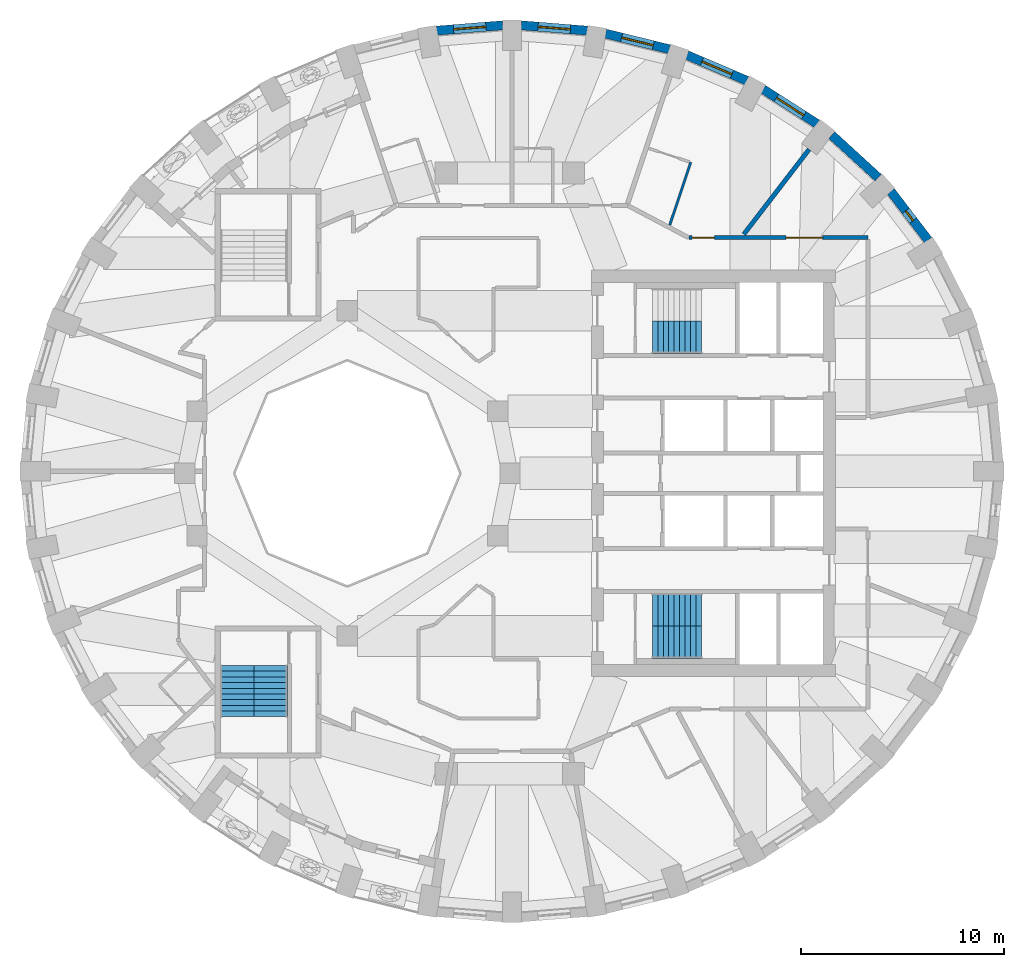
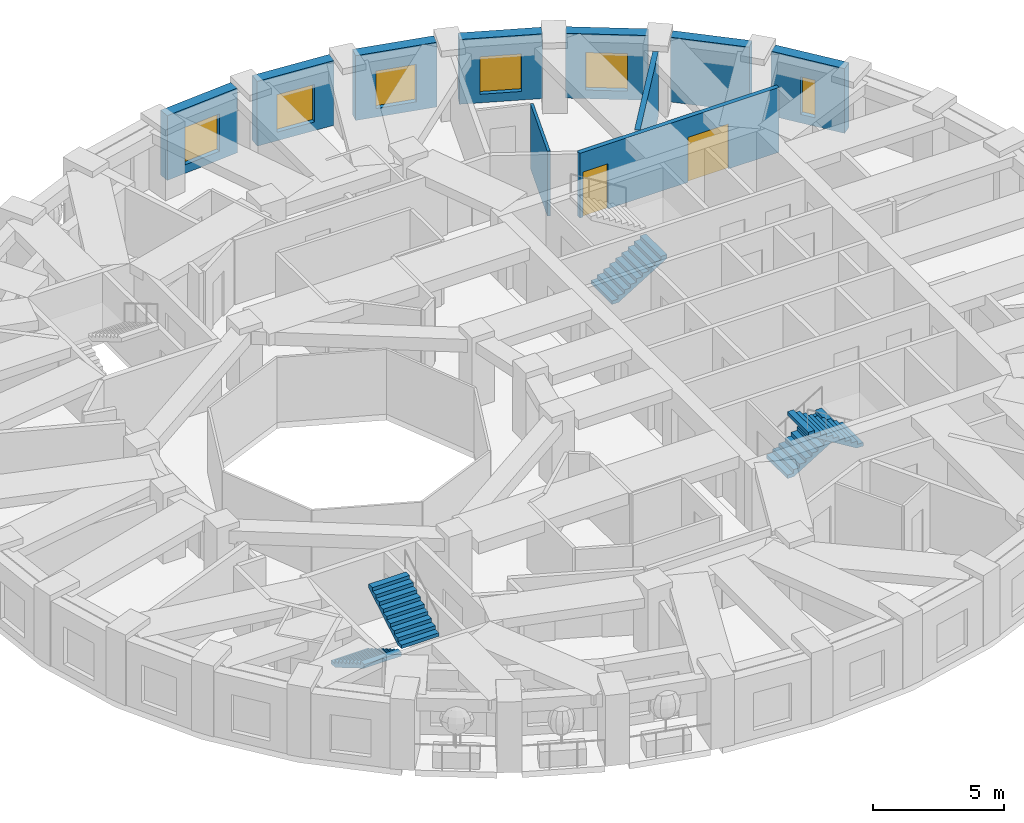
# One storey, part 8 of 12: 10 walls, 6 windows, 5 stair flights, 2 doors, 8 openings, 3 elements without a shape of their own.
"""IFC4 building model written with IfcOpenShell, lengths in metres."""

from ifc_helpers import new_model, si_unit, direction, frame, frame_2d, origin, place, context, subcontext, project, spatial, polyline, rectangle, outline, extrude, material, layer, layer_set, type_object, element, fill, aggregate, save


model = new_model("IFC4")

# Units and contexts
model_context = context("Model", 3, precision=1e-05, world=origin(), true_north=direction((0.0, 1.0)))
body_context = subcontext(model_context, "Body", "Model", "MODEL_VIEW")
ifc_project = project(units=[si_unit("LENGTHUNIT", "METRE"), si_unit("AREAUNIT", "SQUARE_METRE"), si_unit("VOLUMEUNIT", "CUBIC_METRE"), si_unit("PLANEANGLEUNIT", "RADIAN"), si_unit("MASSUNIT", "GRAM", prefix="KILO")], contexts=[model_context])

# Site, building, storey
site_placement = place(None, origin())
site = spatial("IfcSite", under=ifc_project, at=site_placement, CompositionType="ELEMENT")
building_placement = place(site_placement, origin())
building = spatial("IfcBuilding", under=site, at=building_placement, Name="Taillehof Tower", CompositionType="ELEMENT")
storey_placement = place(building_placement, frame((0.0, 0.0, 168.199951171875)))
storey = spatial("IfcBuildingStorey", under=building, at=storey_placement, Name="L47", CompositionType="ELEMENT", Elevation=168.199951171875)

# Wall, opening, window
ifc_material_1 = material(Name="Brick masonry", Category="masonry")
ifc_layer_1 = layer(ifc_material_1, 0.449951171875)
ifc_layer_set_1 = layer_set([ifc_layer_1], Name="Brick infill wall 450")
wall_type_1 = type_object("IfcWallType", Name="Brick infill wall 450", PredefinedType="SOLIDWALL", material=ifc_layer_set_1)
wall_1_placement = place(storey_placement, frame((20.573974609375, 11.467041015625, 0.0), z_axis=(0.0, 0.0, 1.0), x_axis=(-0.607817056371, 0.794077090706, 0.0)))
wall_1 = element("IfcWall", 1, at=wall_1_placement, inside=storey, type_object=wall_type_1, Name="Brick wall L47 bay 4", PredefinedType="SOLIDWALL", context=body_context, shape_type="SweptSolid", body=[
    extrude(rectangle(XDim=3.037109375, YDim=0.449951171875, at=frame_2d((1.5185546875, 0.0))), origin(), (0.0, 0.0, 1.0), 3.02001953125),
])
opening_1_placement = place(wall_1_placement, frame((1.218505859375, 0.0, 0.39990234375)))
opening_1 = element("IfcOpeningElement", 2, at=opening_1_placement, cuts=wall_1, Name="Opening W6", PredefinedType="OPENING", context=body_context, shape_type="SweptSolid", body=[
    extrude(rectangle(XDim=0.60009765625, YDim=1.75, at=frame_2d((0.300048828125, 0.875))), frame((0.0, 0.23486328125, 0.0), z_axis=(0.0, -1.0, 0.0), x_axis=(1.0, 0.0, 0.0)), (0.0, 0.0, 1.0), 0.469970703125),
])
ifc_material_2 = material(Name="Aluminium window frame with clear double glazing", Category="aluminium")
window_type_1 = type_object("IfcWindowType", Name="Slot window 600x1750", PartitioningType="SINGLE_PANEL", PredefinedType="WINDOW", material=ifc_material_2)
window_1_placement = place(opening_1_placement, origin())
window_1 = element("IfcWindow", 3, at=window_1_placement, inside=storey, type_object=window_type_1, Name="W6", OverallHeight=1.75, OverallWidth=0.60009765625, PartitioningType="SINGLE_PANEL", PredefinedType="WINDOW", context=body_context, shape_type="SweptSolid", body=[
    extrude(rectangle(XDim=0.60009765625, YDim=1.75, at=frame_2d((0.300048828125, 0.875))), frame((0.0, 0.034912109375, 0.0), z_axis=(0.0, -1.0, 0.0), x_axis=(1.0, 0.0, 0.0)), (0.0, 0.0, 1.0), 0.06005859375),
])
fill(opening_1, window_1)

# Wall
wall_2_placement = place(storey_placement, frame((18.11328125, 14.5498046875, 0.0), z_axis=(0.0, 0.0, 1.0), x_axis=(-0.737808755941, 0.675009807082, 0.0)))
element("IfcWall", 4, at=wall_2_placement, inside=storey, type_object=wall_type_1, Name="Brick wall L47 bay 5", PredefinedType="SOLIDWALL", context=body_context, shape_type="SweptSolid", body=[
    extrude(rectangle(XDim=3.094482421875, YDim=0.449951171875, at=frame_2d((1.54736328125, 0.0))), origin(), (0.0, 0.0, 1.0), 3.02001953125),
])

# Wall, opening, window
wall_3_placement = place(storey_placement, frame((15.1083984375, 17.193359375, 0.0), z_axis=(0.0, 0.0, 1.0), x_axis=(-0.842030726237, 0.539429565442, 0.0)))
wall_3 = element("IfcWall", 5, at=wall_3_placement, inside=storey, type_object=wall_type_1, Name="Brick wall L47 bay 6", PredefinedType="SOLIDWALL", context=body_context, shape_type="SweptSolid", body=[
    extrude(rectangle(XDim=3.1513671875, YDim=0.449951171875, at=frame_2d((1.57568359375, 0.0))), origin(), (0.0, 0.0, 1.0), 3.02001953125),
])
opening_2_placement = place(wall_3_placement, frame((0.775634765625, 0.0, 0.39990234375)))
opening_2 = element("IfcOpeningElement", 6, at=opening_2_placement, cuts=wall_3, Name="Opening W3", PredefinedType="OPENING", context=body_context, shape_type="SweptSolid", body=[
    extrude(rectangle(XDim=1.60009765625, YDim=1.75, at=frame_2d((0.800048828125, 0.875))), frame((0.0, 0.23486328125, 0.0), z_axis=(0.0, -1.0, 0.0), x_axis=(1.0, 0.0, 0.0)), (0.0, 0.0, 1.0), 0.469970703125),
])
ifc_material_3 = material(Name="Aluminium window frame with clear double glazing", Category="aluminium")
window_type_2 = type_object("IfcWindowType", Name="Deep-set window 1600x1750", PartitioningType="SINGLE_PANEL", PredefinedType="WINDOW", material=ifc_material_3)
window_2_placement = place(opening_2_placement, origin())
window_2 = element("IfcWindow", 7, at=window_2_placement, inside=storey, type_object=window_type_2, Name="W3", OverallHeight=1.75, OverallWidth=1.60009765625, PartitioningType="SINGLE_PANEL", PredefinedType="WINDOW", context=body_context, shape_type="SweptSolid", body=[
    extrude(rectangle(XDim=1.60009765625, YDim=1.75, at=frame_2d((0.800048828125, 0.875))), frame((0.0, 0.034912109375, 0.0), z_axis=(0.0, -1.0, 0.0), x_axis=(1.0, 0.0, 0.0)), (0.0, 0.0, 1.0), 0.06005859375),
])
fill(opening_2, window_2)

wall_4_placement = place(storey_placement, frame((11.650390625, 19.318603515625, 0.0), z_axis=(0.0, 0.0, 1.0), x_axis=(-0.91981046949, 0.392362969986, 0.0)))
wall_4 = element("IfcWall", 8, at=wall_4_placement, inside=storey, type_object=wall_type_1, Name="Brick wall L47 bay 7", PredefinedType="SOLIDWALL", context=body_context, shape_type="SweptSolid", body=[
    extrude(rectangle(XDim=3.20068359375, YDim=0.449951171875, at=frame_2d((1.600341796875, 0.0))), origin(), (0.0, 0.0, 1.0), 3.02001953125),
])
opening_3_placement = place(wall_4_placement, frame((0.80029296875, 0.0, 0.39990234375)))
opening_3 = element("IfcOpeningElement", 9, at=opening_3_placement, cuts=wall_4, Name="Opening W3", PredefinedType="OPENING", context=body_context, shape_type="SweptSolid", body=[
    extrude(rectangle(XDim=1.60009765625, YDim=1.75, at=frame_2d((0.800048828125, 0.875))), frame((0.0, 0.23486328125, 0.0), z_axis=(0.0, -1.0, 0.0), x_axis=(1.0, 0.0, 0.0)), (0.0, 0.0, 1.0), 0.469970703125),
])
window_3_placement = place(opening_3_placement, origin())
window_3 = element("IfcWindow", 10, at=window_3_placement, inside=storey, type_object=window_type_2, Name="W3", OverallHeight=1.75, OverallWidth=1.60009765625, PartitioningType="SINGLE_PANEL", PredefinedType="WINDOW", context=body_context, shape_type="SweptSolid", body=[
    extrude(rectangle(XDim=1.60009765625, YDim=1.75, at=frame_2d((0.800048828125, 0.875))), frame((0.0, 0.034912109375, 0.0), z_axis=(0.0, -1.0, 0.0), x_axis=(1.0, 0.0, 0.0)), (0.0, 0.0, 1.0), 0.06005859375),
])
fill(opening_3, window_3)

wall_5_placement = place(storey_placement, frame((7.843017578125, 20.8623046875, 0.0), z_axis=(0.0, 0.0, 1.0), x_axis=(-0.971237178372, 0.238114139328, 0.0)))
wall_5 = element("IfcWall", 11, at=wall_5_placement, inside=storey, type_object=wall_type_1, Name="Brick wall L47 bay 8", PredefinedType="SOLIDWALL", context=body_context, shape_type="SweptSolid", body=[
    extrude(rectangle(XDim=3.23681640625, YDim=0.449951171875, at=frame_2d((1.618408203125, 0.0))), origin(), (0.0, 0.0, 1.0), 3.02001953125),
])
opening_4_placement = place(wall_5_placement, frame((0.818359375, 0.0, 0.39990234375)))
opening_4 = element("IfcOpeningElement", 12, at=opening_4_placement, cuts=wall_5, Name="Opening W3", PredefinedType="OPENING", context=body_context, shape_type="SweptSolid", body=[
    extrude(rectangle(XDim=1.60009765625, YDim=1.75, at=frame_2d((0.800048828125, 0.875))), frame((0.0, 0.23486328125, 0.0), z_axis=(0.0, -1.0, 0.0), x_axis=(1.0, 0.0, 0.0)), (0.0, 0.0, 1.0), 0.469970703125),
])
window_4_placement = place(opening_4_placement, origin())
window_4 = element("IfcWindow", 13, at=window_4_placement, inside=storey, type_object=window_type_2, Name="W3", OverallHeight=1.75, OverallWidth=1.60009765625, PartitioningType="SINGLE_PANEL", PredefinedType="WINDOW", context=body_context, shape_type="SweptSolid", body=[
    extrude(rectangle(XDim=1.60009765625, YDim=1.75, at=frame_2d((0.800048828125, 0.875))), frame((0.0, 0.034912109375, 0.0), z_axis=(0.0, -1.0, 0.0), x_axis=(1.0, 0.0, 0.0)), (0.0, 0.0, 1.0), 0.06005859375),
])
fill(opening_4, window_4)

wall_6_placement = place(storey_placement, frame((3.80078125, 21.778076171875, 0.0), z_axis=(0.0, 0.0, 1.0), x_axis=(-0.996812416891, 0.079780984773, 0.0)))
wall_6 = element("IfcWall", 14, at=wall_6_placement, inside=storey, type_object=wall_type_1, Name="Brick wall L47 bay 9", PredefinedType="SOLIDWALL", context=body_context, shape_type="SweptSolid", body=[
    extrude(rectangle(XDim=3.256103515625, YDim=0.449951171875, at=frame_2d((1.6279296875, 0.0))), origin(), (0.0, 0.0, 1.0), 3.02001953125),
])
opening_5_placement = place(wall_6_placement, frame((0.827880859375, 0.0, 0.39990234375)))
opening_5 = element("IfcOpeningElement", 15, at=opening_5_placement, cuts=wall_6, Name="Opening W3", PredefinedType="OPENING", context=body_context, shape_type="SweptSolid", body=[
    extrude(rectangle(XDim=1.60009765625, YDim=1.75, at=frame_2d((0.800048828125, 0.875))), frame((0.0, 0.23486328125, 0.0), z_axis=(0.0, -1.0, 0.0), x_axis=(1.0, 0.0, 0.0)), (0.0, 0.0, 1.0), 0.469970703125),
])
window_5_placement = place(opening_5_placement, origin())
window_5 = element("IfcWindow", 16, at=window_5_placement, inside=storey, type_object=window_type_2, Name="W3", OverallHeight=1.75, OverallWidth=1.60009765625, PartitioningType="SINGLE_PANEL", PredefinedType="WINDOW", context=body_context, shape_type="SweptSolid", body=[
    extrude(rectangle(XDim=1.60009765625, YDim=1.75, at=frame_2d((0.800048828125, 0.875))), frame((0.0, 0.034912109375, 0.0), z_axis=(0.0, -1.0, 0.0), x_axis=(1.0, 0.0, 0.0)), (0.0, 0.0, 1.0), 0.06005859375),
])
fill(opening_5, window_5)

wall_7_placement = place(storey_placement, frame((-0.35498046875, 22.037841796875, 0.0), z_axis=(0.0, 0.0, 1.0), x_axis=(-0.996812416891, -0.079780984773, 0.0)))
wall_7 = element("IfcWall", 17, at=wall_7_placement, inside=storey, type_object=wall_type_1, Name="Brick wall L47 bay 10", PredefinedType="SOLIDWALL", context=body_context, shape_type="SweptSolid", body=[
    extrude(rectangle(XDim=3.256103515625, YDim=0.449951171875, at=frame_2d((1.6279296875, 0.0))), origin(), (0.0, 0.0, 1.0), 3.02001953125),
])
opening_6_placement = place(wall_7_placement, frame((0.827880859375, 0.0, 0.39990234375)))
opening_6 = element("IfcOpeningElement", 18, at=opening_6_placement, cuts=wall_7, Name="Opening W3", PredefinedType="OPENING", context=body_context, shape_type="SweptSolid", body=[
    extrude(rectangle(XDim=1.60009765625, YDim=1.75, at=frame_2d((0.800048828125, 0.875))), frame((0.0, 0.23486328125, 0.0), z_axis=(0.0, -1.0, 0.0), x_axis=(1.0, 0.0, 0.0)), (0.0, 0.0, 1.0), 0.469970703125),
])
window_6_placement = place(opening_6_placement, origin())
window_6 = element("IfcWindow", 19, at=window_6_placement, inside=storey, type_object=window_type_2, Name="W3", OverallHeight=1.75, OverallWidth=1.60009765625, PartitioningType="SINGLE_PANEL", PredefinedType="WINDOW", context=body_context, shape_type="SweptSolid", body=[
    extrude(rectangle(XDim=1.60009765625, YDim=1.75, at=frame_2d((0.800048828125, 0.875))), frame((0.0, 0.034912109375, 0.0), z_axis=(0.0, -1.0, 0.0), x_axis=(1.0, 0.0, 0.0)), (0.0, 0.0, 1.0), 0.06005859375),
])
fill(opening_6, window_6)

# Wall, openings, doors
ifc_material_4 = material(Name="Gypsum board on steel studs, two layers each side", Category="steel")
ifc_layer_2 = layer(ifc_material_4, 0.199951171875)
ifc_layer_set_2 = layer_set([ifc_layer_2], Name="Compartment wall corridor 200")
wall_type_2 = type_object("IfcWallType", Name="Compartment wall corridor 200", PredefinedType="PARTITIONING", material=ifc_layer_set_2)
wall_8_placement = place(storey_placement, frame((8.816650390625, 11.60009765625, 0.0), z_axis=(0.0, 0.0, 1.0), x_axis=(1.0, 0.0, 0.0)))
wall_8 = element("IfcWall", 20, at=wall_8_placement, inside=storey, type_object=wall_type_2, Name="Compartment wall", PredefinedType="PARTITIONING", context=body_context, shape_type="SweptSolid", body=[
    extrude(rectangle(XDim=8.783447265625, YDim=0.199951171875, at=frame_2d((4.3916015625, 0.0))), origin(), (0.0, 0.0, 1.0), 3.02001953125),
])
opening_7_placement = place(wall_8_placement, frame((0.139892578125, 0.0, 0.0)))
opening_7 = element("IfcOpeningElement", 21, at=opening_7_placement, cuts=wall_8, Name="Opening D4740", PredefinedType="OPENING", context=body_context, shape_type="SweptSolid", body=[
    extrude(rectangle(XDim=1.10009765625, YDim=2.10009765625, at=frame_2d((0.550048828125, 1.050048828125))), frame((0.0, 0.10986328125, 0.0), z_axis=(0.0, -1.0, 0.0), x_axis=(1.0, 0.0, 0.0)), (0.0, 0.0, 1.0), 0.219970703125),
])
opening_8_placement = place(wall_8_placement, frame((4.765625, 0.0, 0.0)))
opening_8 = element("IfcOpeningElement", 22, at=opening_8_placement, cuts=wall_8, Name="Opening D4759", PredefinedType="OPENING", context=body_context, shape_type="SweptSolid", body=[
    extrude(rectangle(XDim=1.800048828125, YDim=2.10009765625, at=frame_2d((0.89990234375, 1.050048828125))), frame((0.0, 0.10986328125, 0.0), z_axis=(0.0, -1.0, 0.0), x_axis=(1.0, 0.0, 0.0)), (0.0, 0.0, 1.0), 0.219970703125),
])
ifc_material_5 = material(Name="Timber door leaf in steel frame", Category="steel")
door_type_1 = type_object("IfcDoorType", Name="Accessible guest room door EI 30 1100 x 2100", OperationType="SINGLE_SWING_LEFT", PredefinedType="DOOR", material=ifc_material_5)
door_1_placement = place(opening_7_placement, origin())
door_1 = element("IfcDoor", 23, at=door_1_placement, inside=storey, type_object=door_type_1, Name="D4740", OperationType="SINGLE_SWING_LEFT", OverallHeight=2.10009765625, OverallWidth=1.10009765625, PredefinedType="DOOR", context=body_context, shape_type="SweptSolid", body=[
    extrude(rectangle(XDim=1.10009765625, YDim=2.10009765625, at=frame_2d((0.550048828125, 1.050048828125))), frame((0.0, 0.02490234375, 0.0), z_axis=(0.0, -1.0, 0.0), x_axis=(1.0, 0.0, 0.0)), (0.0, 0.0, 1.0), 0.050048828125),
])
fill(opening_7, door_1)
ifc_material_6 = material(Name="Timber door leaf in steel frame", Category="steel")
door_type_2 = type_object("IfcDoorType", Name="Lounge and meeting room double door EI 30 1800 x 2100", OperationType="SINGLE_SWING_LEFT", PredefinedType="DOOR", material=ifc_material_6)
door_2_placement = place(opening_8_placement, origin())
door_2 = element("IfcDoor", 24, at=door_2_placement, inside=storey, type_object=door_type_2, Name="D4759", OperationType="DOUBLE_DOOR_SINGLE_SWING", OverallHeight=2.10009765625, OverallWidth=1.800048828125, PredefinedType="DOOR", context=body_context, shape_type="SweptSolid", body=[
    extrude(rectangle(XDim=1.800048828125, YDim=2.10009765625, at=frame_2d((0.89990234375, 1.050048828125))), frame((0.0, 0.02490234375, 0.0), z_axis=(0.0, -1.0, 0.0), x_axis=(1.0, 0.0, 0.0)), (0.0, 0.0, 1.0), 0.050048828125),
])
fill(opening_8, door_2)

# Walls
ifc_material_7 = material(Name="Gypsum board on double steel studs with mineral wool", Category="steel")
ifc_layer_3 = layer(ifc_material_7, 0.219970703125)
ifc_layer_set_3 = layer_set([ifc_layer_3], Name="Compartment wall guest room 220")
wall_type_3 = type_object("IfcWallType", Name="Compartment wall guest room 220", PredefinedType="PARTITIONING", material=ifc_layer_set_3)
wall_9_placement = place(storey_placement, frame((14.7158203125, 15.937255859375, 0.0), z_axis=(0.0, 0.0, 1.0), x_axis=(-0.61000193202, -0.792399926131, 0.0)))
element("IfcWall", 25, at=wall_9_placement, inside=storey, type_object=wall_type_3, Name="Compartment wall", PredefinedType="PARTITIONING", context=body_context, shape_type="SweptSolid", body=[
    extrude(rectangle(XDim=5.26708984375, YDim=0.219970703125, at=frame_2d((2.633544921875, 0.0))), origin(), (0.0, 0.0, 1.0), 3.02001953125),
])
ifc_material_8 = material(Name="Gypsum board on steel studs, moisture resistant", Category="steel")
ifc_layer_4 = layer(ifc_material_8, 0.1201171875)
ifc_layer_set_4 = layer_set([ifc_layer_4], Name="En-suite wall 120")
wall_type_4 = type_object("IfcWallType", Name="En-suite wall 120", PredefinedType="PARTITIONING", material=ifc_layer_set_4)
wall_10_placement = place(storey_placement, frame((7.861572265625, 12.218994140625, 0.0), z_axis=(0.0, 0.0, 1.0), x_axis=(0.316678625352, 0.948532892548, 0.0)))
element("IfcWall", 26, at=wall_10_placement, inside=storey, type_object=wall_type_4, Name="En-suite wall", PredefinedType="PARTITIONING", context=body_context, shape_type="SweptSolid", body=[
    extrude(rectangle(XDim=3.248779296875, YDim=0.1201171875, at=frame_2d((1.62451171875, 0.0))), origin(), (0.0, 0.0, 1.0), 3.02001953125),
])

# Stair, stair flight
ifc_material_9 = material(Name="Concrete C40/50", Category="concrete")
stair_type = type_object("IfcStairType", Name="Exit stair half-turn", PredefinedType="HALF_TURN_STAIR", material=ifc_material_9)
stair_1_placement = place(storey_placement, origin())
stair_1 = element("IfcStair", 27, at=stair_1_placement, inside=storey, type_object=stair_type, Name="Exit stair S1", PredefinedType="HALF_TURN_STAIR")
ifc_material_10 = material(Name="Concrete C40/50", Category="concrete")
stair_flight_type_1 = type_object("IfcStairFlightType", Name="Stair flight 1600 riser 165.0 going 270", PredefinedType="STRAIGHT", material=ifc_material_10)
stair_flight_1_placement = place(storey_placement, frame((7.0, 6.699951171875, 0.0), z_axis=(0.0, 0.0, 1.0), x_axis=(1.0, 0.0, 0.0)))
stair_flight_1 = element("IfcStairFlight", 28, at=stair_flight_1_placement, type_object=stair_flight_type_1, Name="S1 flight 1", NumberOfRisers=10, NumberOfTreads=9, PredefinedType="STRAIGHT", RiserHeight=0.165, TreadLength=0.27, context=body_context, shape_type="SweptSolid", body=[
    extrude(outline(polyline([(0.0, 0.0), (0.0, 0.00537109375), (0.0, 0.0107421875), (0.0, 0.015869140625), (0.0, 0.021240234375), (0.0, 0.026611328125), (0.0, 0.031982421875), (0.0, 0.037353515625), (0.0, 0.04248046875), (0.0, 0.0478515625), (0.0, 0.05322265625), (0.0, 0.05859375), (0.0, 0.06396484375), (0.0, 0.069091796875), (0.0, 0.074462890625), (0.0, 0.079833984375), (0.0, 0.085205078125), (0.0, 0.090576171875), (0.0, 0.095703125), (0.0, 0.10107421875), (0.0, 0.1064453125), (0.0, 0.11181640625), (0.0, 0.1171875), (0.0, 0.122314453125), (0.0, 0.127685546875), (0.0, 0.133056640625), (0.0, 0.138427734375), (0.0, 0.143798828125), (0.0, 0.14892578125), (0.0, 0.154296875), (0.0, 0.15966796875), (0.0, 0.1650390625), (0.27001953125, 0.1650390625), (0.27001953125, 0.330078125), (0.5400390625, 0.330078125), (0.5400390625, 0.4951171875), (0.81005859375, 0.4951171875), (0.81005859375, 0.659912109375), (1.080078125, 0.659912109375), (1.080078125, 0.824951171875), (1.35009765625, 0.824951171875), (1.35009765625, 0.989990234375), (1.6201171875, 0.989990234375), (1.6201171875, 1.155029296875), (1.889892578125, 1.155029296875), (1.889892578125, 1.320068359375), (2.159912109375, 1.320068359375), (2.159912109375, 1.485107421875), (2.429931640625, 1.485107421875), (2.429931640625, 1.479248046875), (2.429931640625, 1.4736328125), (2.429931640625, 1.468017578125), (2.429931640625, 1.46240234375), (2.429931640625, 1.45654296875), (2.429931640625, 1.450927734375), (2.429931640625, 1.4453125), (2.429931640625, 1.439697265625), (2.429931640625, 1.43408203125), (2.429931640625, 1.42822265625), (2.429931640625, 1.422607421875), (2.429931640625, 1.4169921875), (2.429931640625, 1.411376953125), (2.429931640625, 1.40576171875), (2.429931640625, 1.39990234375), (2.429931640625, 1.394287109375), (2.429931640625, 1.388671875), (2.429931640625, 1.383056640625), (2.429931640625, 1.37744140625), (2.429931640625, 1.37158203125), (2.429931640625, 1.365966796875), (2.429931640625, 1.3603515625), (2.429931640625, 1.354736328125), (2.429931640625, 1.348876953125), (2.429931640625, 1.34326171875), (2.429931640625, 1.337646484375), (2.429931640625, 1.33203125), (2.429931640625, 1.326416015625), (2.429931640625, 1.320556640625), (2.429931640625, 1.31494140625), (2.429931640625, 1.309326171875), (0.287353515625, 0.0), (0.0, 0.0)])), frame((0.0, 0.800048828125, 0.0), z_axis=(0.0, -1.0, 0.0), x_axis=(1.0, 0.0, 0.0)), (0.0, 0.0, 1.0), 1.6),
])
aggregate(stair_1, [stair_flight_1])

# Stair, stair flights
stair_2_placement = place(storey_placement, origin())
stair_2 = element("IfcStair", 29, at=stair_2_placement, inside=storey, type_object=stair_type, Name="Exit stair S2", PredefinedType="HALF_TURN_STAIR")
stair_flight_2_placement = place(storey_placement, frame((7.0, -6.699951171875, 0.0), z_axis=(0.0, 0.0, 1.0), x_axis=(1.0, 0.0, 0.0)))
stair_flight_2 = element("IfcStairFlight", 30, at=stair_flight_2_placement, type_object=stair_flight_type_1, Name="S2 flight 1", NumberOfRisers=10, NumberOfTreads=9, PredefinedType="STRAIGHT", RiserHeight=0.165, TreadLength=0.27, context=body_context, shape_type="SweptSolid", body=[
    extrude(outline(polyline([(0.0, 0.0), (0.0, 0.00537109375), (0.0, 0.0107421875), (0.0, 0.015869140625), (0.0, 0.021240234375), (0.0, 0.026611328125), (0.0, 0.031982421875), (0.0, 0.037353515625), (0.0, 0.04248046875), (0.0, 0.0478515625), (0.0, 0.05322265625), (0.0, 0.05859375), (0.0, 0.06396484375), (0.0, 0.069091796875), (0.0, 0.074462890625), (0.0, 0.079833984375), (0.0, 0.085205078125), (0.0, 0.090576171875), (0.0, 0.095703125), (0.0, 0.10107421875), (0.0, 0.1064453125), (0.0, 0.11181640625), (0.0, 0.1171875), (0.0, 0.122314453125), (0.0, 0.127685546875), (0.0, 0.133056640625), (0.0, 0.138427734375), (0.0, 0.143798828125), (0.0, 0.14892578125), (0.0, 0.154296875), (0.0, 0.15966796875), (0.0, 0.1650390625), (0.27001953125, 0.1650390625), (0.27001953125, 0.330078125), (0.5400390625, 0.330078125), (0.5400390625, 0.4951171875), (0.81005859375, 0.4951171875), (0.81005859375, 0.659912109375), (1.080078125, 0.659912109375), (1.080078125, 0.824951171875), (1.35009765625, 0.824951171875), (1.35009765625, 0.989990234375), (1.6201171875, 0.989990234375), (1.6201171875, 1.155029296875), (1.889892578125, 1.155029296875), (1.889892578125, 1.320068359375), (2.159912109375, 1.320068359375), (2.159912109375, 1.485107421875), (2.429931640625, 1.485107421875), (2.429931640625, 1.479248046875), (2.429931640625, 1.4736328125), (2.429931640625, 1.468017578125), (2.429931640625, 1.46240234375), (2.429931640625, 1.45654296875), (2.429931640625, 1.450927734375), (2.429931640625, 1.4453125), (2.429931640625, 1.439697265625), (2.429931640625, 1.43408203125), (2.429931640625, 1.42822265625), (2.429931640625, 1.422607421875), (2.429931640625, 1.4169921875), (2.429931640625, 1.411376953125), (2.429931640625, 1.40576171875), (2.429931640625, 1.39990234375), (2.429931640625, 1.394287109375), (2.429931640625, 1.388671875), (2.429931640625, 1.383056640625), (2.429931640625, 1.37744140625), (2.429931640625, 1.37158203125), (2.429931640625, 1.365966796875), (2.429931640625, 1.3603515625), (2.429931640625, 1.354736328125), (2.429931640625, 1.348876953125), (2.429931640625, 1.34326171875), (2.429931640625, 1.337646484375), (2.429931640625, 1.33203125), (2.429931640625, 1.326416015625), (2.429931640625, 1.320556640625), (2.429931640625, 1.31494140625), (2.429931640625, 1.309326171875), (0.287353515625, 0.0), (0.0, 0.0)])), frame((0.0, 0.800048828125, 0.0), z_axis=(0.0, -1.0, 0.0), x_axis=(1.0, 0.0, 0.0)), (0.0, 0.0, 1.0), 1.6),
])
stair_flight_3_placement = place(storey_placement, frame((9.429931640625, -8.300048828125, 1.650146484375), z_axis=(0.0, 0.0, 1.0), x_axis=(-1.0, 0.0, 0.0)))
stair_flight_3 = element("IfcStairFlight", 31, at=stair_flight_3_placement, type_object=stair_flight_type_1, Name="S2 flight 2", NumberOfRisers=10, NumberOfTreads=9, PredefinedType="STRAIGHT", RiserHeight=0.165, TreadLength=0.27, context=body_context, shape_type="SweptSolid", body=[
    extrude(outline(polyline([(0.0, 0.0), (0.0, 0.00537109375), (0.0, 0.0107421875), (0.0, 0.015869140625), (0.0, 0.021240234375), (0.0, 0.026611328125), (0.0, 0.031982421875), (0.0, 0.037353515625), (0.0, 0.04248046875), (0.0, 0.0478515625), (0.0, 0.05322265625), (0.0, 0.05859375), (0.0, 0.06396484375), (0.0, 0.069091796875), (0.0, 0.074462890625), (0.0, 0.079833984375), (0.0, 0.085205078125), (0.0, 0.090576171875), (0.0, 0.095703125), (0.0, 0.10107421875), (0.0, 0.1064453125), (0.0, 0.11181640625), (0.0, 0.1171875), (0.0, 0.122314453125), (0.0, 0.127685546875), (0.0, 0.133056640625), (0.0, 0.138427734375), (0.0, 0.143798828125), (0.0, 0.14892578125), (0.0, 0.154296875), (0.0, 0.15966796875), (0.0, 0.1650390625), (0.27001953125, 0.1650390625), (0.27001953125, 0.330078125), (0.5400390625, 0.330078125), (0.5400390625, 0.4951171875), (0.81005859375, 0.4951171875), (0.81005859375, 0.659912109375), (1.080078125, 0.659912109375), (1.080078125, 0.824951171875), (1.35009765625, 0.824951171875), (1.35009765625, 0.989990234375), (1.6201171875, 0.989990234375), (1.6201171875, 1.155029296875), (1.889892578125, 1.155029296875), (1.889892578125, 1.320068359375), (2.159912109375, 1.320068359375), (2.159912109375, 1.485107421875), (2.429931640625, 1.485107421875), (2.429931640625, 1.479248046875), (2.429931640625, 1.4736328125), (2.429931640625, 1.468017578125), (2.429931640625, 1.46240234375), (2.429931640625, 1.45654296875), (2.429931640625, 1.450927734375), (2.429931640625, 1.4453125), (2.429931640625, 1.439697265625), (2.429931640625, 1.43408203125), (2.429931640625, 1.42822265625), (2.429931640625, 1.422607421875), (2.429931640625, 1.4169921875), (2.429931640625, 1.411376953125), (2.429931640625, 1.40576171875), (2.429931640625, 1.39990234375), (2.429931640625, 1.394287109375), (2.429931640625, 1.388671875), (2.429931640625, 1.383056640625), (2.429931640625, 1.37744140625), (2.429931640625, 1.37158203125), (2.429931640625, 1.365966796875), (2.429931640625, 1.3603515625), (2.429931640625, 1.354736328125), (2.429931640625, 1.348876953125), (2.429931640625, 1.34326171875), (2.429931640625, 1.337646484375), (2.429931640625, 1.33203125), (2.429931640625, 1.326416015625), (2.429931640625, 1.320556640625), (2.429931640625, 1.31494140625), (2.429931640625, 1.309326171875), (0.287353515625, 0.0), (0.0, 0.0)])), frame((0.0, 0.800048828125, 0.0), z_axis=(0.0, -1.0, 0.0), x_axis=(1.0, 0.0, 0.0)), (0.0, 0.0, 1.0), 1.6),
])
aggregate(stair_2, [stair_flight_2, stair_flight_3])

stair_3_placement = place(storey_placement, origin())
stair_3 = element("IfcStair", 32, at=stair_3_placement, inside=storey, type_object=stair_type, Name="Exit stair S4", PredefinedType="HALF_TURN_STAIR")
ifc_material_11 = material(Name="Concrete C40/50", Category="concrete")
stair_flight_type_2 = type_object("IfcStairFlightType", Name="Stair flight 1650 riser 165.0 going 280", PredefinedType="STRAIGHT", material=ifc_material_11)
stair_flight_4_placement = place(storey_placement, frame((-13.425048828125, -9.449951171875, 0.0), z_axis=(0.0, 0.0, 1.0), x_axis=(0.0, -1.0, 0.0)))
stair_flight_4 = element("IfcStairFlight", 33, at=stair_flight_4_placement, type_object=stair_flight_type_2, Name="S4 flight 1", NumberOfRisers=10, NumberOfTreads=9, PredefinedType="STRAIGHT", RiserHeight=0.165, TreadLength=0.28, context=body_context, shape_type="SweptSolid", body=[
    extrude(outline(polyline([(0.0, 0.0), (0.0, 0.00537109375), (0.0, 0.0107421875), (0.0, 0.015869140625), (0.0, 0.021240234375), (0.0, 0.026611328125), (0.0, 0.031982421875), (0.0, 0.037353515625), (0.0, 0.04248046875), (0.0, 0.0478515625), (0.0, 0.05322265625), (0.0, 0.05859375), (0.0, 0.06396484375), (0.0, 0.069091796875), (0.0, 0.074462890625), (0.0, 0.079833984375), (0.0, 0.085205078125), (0.0, 0.090576171875), (0.0, 0.095703125), (0.0, 0.10107421875), (0.0, 0.1064453125), (0.0, 0.11181640625), (0.0, 0.1171875), (0.0, 0.122314453125), (0.0, 0.127685546875), (0.0, 0.133056640625), (0.0, 0.138427734375), (0.0, 0.143798828125), (0.0, 0.14892578125), (0.0, 0.154296875), (0.0, 0.15966796875), (0.0, 0.1650390625), (0.280029296875, 0.1650390625), (0.280029296875, 0.330078125), (0.56005859375, 0.330078125), (0.56005859375, 0.4951171875), (0.840087890625, 0.4951171875), (0.840087890625, 0.659912109375), (1.1201171875, 0.659912109375), (1.1201171875, 0.824951171875), (1.39990234375, 0.824951171875), (1.39990234375, 0.989990234375), (1.679931640625, 0.989990234375), (1.679931640625, 1.155029296875), (1.9599609375, 1.155029296875), (1.9599609375, 1.320068359375), (2.239990234375, 1.320068359375), (2.239990234375, 1.485107421875), (2.52001953125, 1.485107421875), (2.52001953125, 1.4794921875), (2.52001953125, 1.473876953125), (2.52001953125, 1.46826171875), (2.52001953125, 1.462646484375), (2.52001953125, 1.45703125), (2.52001953125, 1.451416015625), (2.52001953125, 1.44580078125), (2.52001953125, 1.440185546875), (2.52001953125, 1.4345703125), (2.52001953125, 1.428955078125), (2.52001953125, 1.42333984375), (2.52001953125, 1.417724609375), (2.52001953125, 1.412109375), (2.52001953125, 1.406494140625), (2.52001953125, 1.40087890625), (2.52001953125, 1.395263671875), (2.52001953125, 1.3896484375), (2.52001953125, 1.384033203125), (2.52001953125, 1.37841796875), (2.52001953125, 1.372802734375), (2.52001953125, 1.3671875), (2.52001953125, 1.361572265625), (2.52001953125, 1.35595703125), (2.52001953125, 1.350341796875), (2.52001953125, 1.3447265625), (2.52001953125, 1.339111328125), (2.52001953125, 1.33349609375), (2.52001953125, 1.327880859375), (2.52001953125, 1.322265625), (2.52001953125, 1.316650390625), (2.52001953125, 1.31103515625), (0.295166015625, 0.0), (0.0, 0.0)])), frame((0.0, 0.824951171875, 0.0), z_axis=(0.0, -1.0, 0.0), x_axis=(1.0, 0.0, 0.0)), (0.0, 0.0, 1.0), 1.65),
])
stair_flight_5_placement = place(storey_placement, frame((-11.77490234375, -11.969970703125, 1.650146484375), z_axis=(0.0, 0.0, 1.0), x_axis=(0.0, 1.0, 0.0)))
stair_flight_5 = element("IfcStairFlight", 34, at=stair_flight_5_placement, type_object=stair_flight_type_2, Name="S4 flight 2", NumberOfRisers=10, NumberOfTreads=9, PredefinedType="STRAIGHT", RiserHeight=0.165, TreadLength=0.28, context=body_context, shape_type="SweptSolid", body=[
    extrude(outline(polyline([(0.0, 0.0), (0.0, 0.00537109375), (0.0, 0.0107421875), (0.0, 0.015869140625), (0.0, 0.021240234375), (0.0, 0.026611328125), (0.0, 0.031982421875), (0.0, 0.037353515625), (0.0, 0.04248046875), (0.0, 0.0478515625), (0.0, 0.05322265625), (0.0, 0.05859375), (0.0, 0.06396484375), (0.0, 0.069091796875), (0.0, 0.074462890625), (0.0, 0.079833984375), (0.0, 0.085205078125), (0.0, 0.090576171875), (0.0, 0.095703125), (0.0, 0.10107421875), (0.0, 0.1064453125), (0.0, 0.11181640625), (0.0, 0.1171875), (0.0, 0.122314453125), (0.0, 0.127685546875), (0.0, 0.133056640625), (0.0, 0.138427734375), (0.0, 0.143798828125), (0.0, 0.14892578125), (0.0, 0.154296875), (0.0, 0.15966796875), (0.0, 0.1650390625), (0.280029296875, 0.1650390625), (0.280029296875, 0.330078125), (0.56005859375, 0.330078125), (0.56005859375, 0.4951171875), (0.840087890625, 0.4951171875), (0.840087890625, 0.659912109375), (1.1201171875, 0.659912109375), (1.1201171875, 0.824951171875), (1.39990234375, 0.824951171875), (1.39990234375, 0.989990234375), (1.679931640625, 0.989990234375), (1.679931640625, 1.155029296875), (1.9599609375, 1.155029296875), (1.9599609375, 1.320068359375), (2.239990234375, 1.320068359375), (2.239990234375, 1.485107421875), (2.52001953125, 1.485107421875), (2.52001953125, 1.4794921875), (2.52001953125, 1.473876953125), (2.52001953125, 1.46826171875), (2.52001953125, 1.462646484375), (2.52001953125, 1.45703125), (2.52001953125, 1.451416015625), (2.52001953125, 1.44580078125), (2.52001953125, 1.440185546875), (2.52001953125, 1.4345703125), (2.52001953125, 1.428955078125), (2.52001953125, 1.42333984375), (2.52001953125, 1.417724609375), (2.52001953125, 1.412109375), (2.52001953125, 1.406494140625), (2.52001953125, 1.40087890625), (2.52001953125, 1.395263671875), (2.52001953125, 1.3896484375), (2.52001953125, 1.384033203125), (2.52001953125, 1.37841796875), (2.52001953125, 1.372802734375), (2.52001953125, 1.3671875), (2.52001953125, 1.361572265625), (2.52001953125, 1.35595703125), (2.52001953125, 1.350341796875), (2.52001953125, 1.3447265625), (2.52001953125, 1.339111328125), (2.52001953125, 1.33349609375), (2.52001953125, 1.327880859375), (2.52001953125, 1.322265625), (2.52001953125, 1.316650390625), (2.52001953125, 1.31103515625), (0.295166015625, 0.0), (0.0, 0.0)])), frame((0.0, 0.824951171875, 0.0), z_axis=(0.0, -1.0, 0.0), x_axis=(1.0, 0.0, 0.0)), (0.0, 0.0, 1.0), 1.65),
])
aggregate(stair_3, [stair_flight_4, stair_flight_5])

save(model, "model.ifc")
